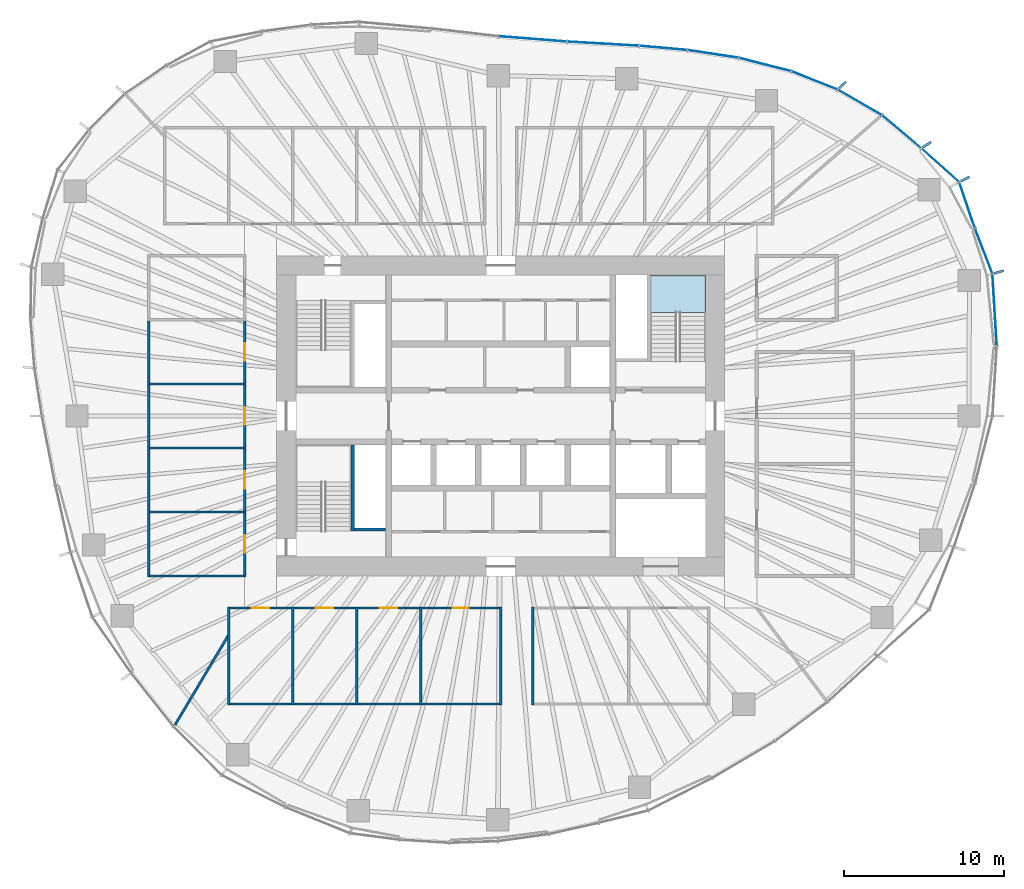
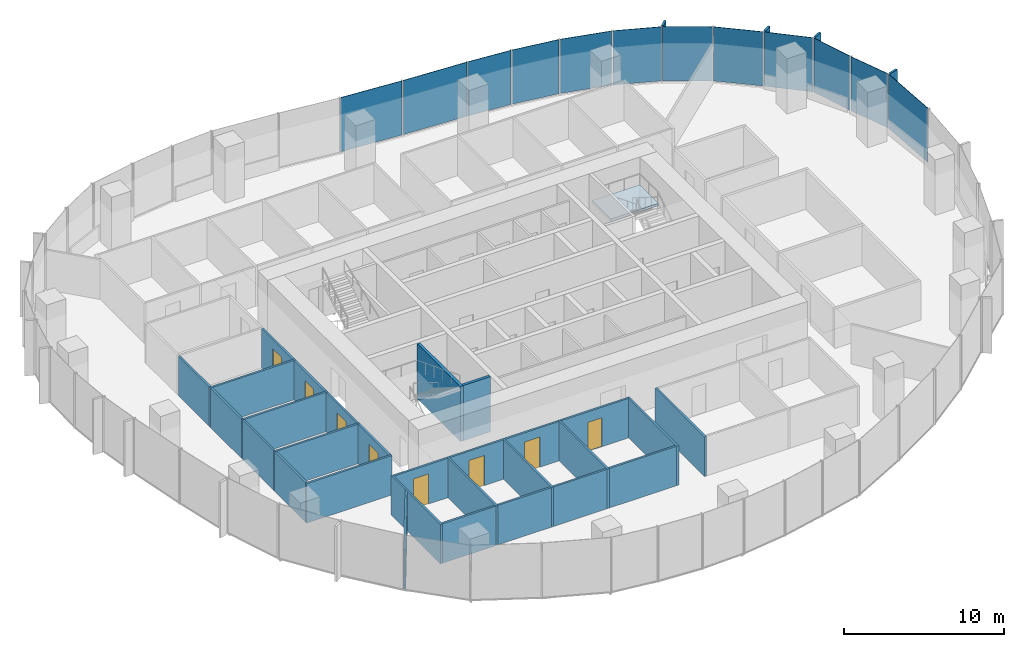
# One storey, part 8 of 18: 29 walls, 16 plates, 8 doors, 1 slab, 8 openings, 6 elements without a shape of their own.
"""IFC4 building model written with IfcOpenShell, lengths in metres."""

from ifc_helpers import new_model, si_unit, direction, frame, frame_2d, origin, origin_2d, place, context, subcontext, project, spatial, polyline, rectangle, outline, extrude, material, layer, layer_set, type_object, element, fill, aggregate, save


model = new_model("IFC4")

# Units and contexts
model_context = context("Model", 3, precision=1e-05, world=origin(), true_north=direction((0.0, 1.0)))
body_context = subcontext(model_context, "Body", "Model", "MODEL_VIEW")
ifc_project = project(units=[si_unit("LENGTHUNIT", "METRE"), si_unit("AREAUNIT", "SQUARE_METRE"), si_unit("VOLUMEUNIT", "CUBIC_METRE"), si_unit("PLANEANGLEUNIT", "RADIAN"), si_unit("MASSUNIT", "GRAM", prefix="KILO")], contexts=[model_context])

# Site, building, storey
site_placement = place(None, origin())
site = spatial("IfcSite", under=ifc_project, at=site_placement, CompositionType="ELEMENT")
building_placement = place(site_placement, origin())
building = spatial("IfcBuilding", under=site, at=building_placement, Name="Ghaith Harvest Tower", CompositionType="ELEMENT")
storey_placement = place(building_placement, frame((0.0, 0.0, 172.199951171875)))
storey = spatial("IfcBuildingStorey", under=building, at=storey_placement, Name="L37", CompositionType="ELEMENT", Elevation=172.199951171875)

# Curtain wall, plate
ifc_material_1 = material(Name="Black anodised aluminium and fritted glass", Category="aluminium")
curtain_wall_type = type_object("IfcCurtainWallType", Name="CW-L CURTAIN WALL", PredefinedType="NOTDEFINED", material=ifc_material_1)
curtain_wall_1_placement = place(storey_placement, origin())
curtain_wall_1 = element("IfcCurtainWall", 1, at=curtain_wall_1_placement, inside=storey, type_object=curtain_wall_type, Name="Curtain wall CW-L bay 01 L37", PredefinedType="NOTDEFINED")
ifc_material_2 = material(Name="Glass, dark solar-control fritted double glazed unit", Category="glass")
ifc_layer_1 = layer(ifc_material_2, 0.031982421875)
ifc_layer_set_1 = layer_set([ifc_layer_1], Name="CW-L VISION PANEL")
plate_type_1 = type_object("IfcPlateType", Name="CW-L VISION PANEL", PredefinedType="CURTAIN_PANEL", material=ifc_layer_set_1)
plate_1_placement = place(storey_placement, frame((30.863037109375, 6.63525390625, 0.080078125), z_axis=(0.0, 0.0, 1.0), x_axis=(-0.060320650032, 0.998179051663, 0.0)))
plate_1 = element("IfcPlate", 2, at=plate_1_placement, type_object=plate_type_1, Name="CW-L glass unit 2 bay 01 L37", PredefinedType="CURTAIN_PANEL", context=body_context, shape_type="SweptSolid", body=[
    extrude(rectangle(XDim=4.419189453125, YDim=0.031982421875, at=origin_2d()), origin(), (0.0, 0.0, 1.0), 4.1201171875),
])
aggregate(curtain_wall_1, [plate_1])

# Curtain wall, plates
curtain_wall_2_placement = place(storey_placement, origin())
curtain_wall_2 = element("IfcCurtainWall", 3, at=curtain_wall_2_placement, inside=storey, type_object=curtain_wall_type, Name="Curtain wall CW-L bay 02 L37", PredefinedType="NOTDEFINED")
plate_2_placement = place(storey_placement, frame((30.180908203125, 10.29833984375, 0.080078125), z_axis=(0.0, 0.0, 1.0), x_axis=(-0.359676824997, 0.933076943001, 0.0)))
plate_2 = element("IfcPlate", 4, at=plate_2_placement, type_object=plate_type_1, Name="CW-L glass unit 1 bay 02 L37", PredefinedType="CURTAIN_PANEL", context=body_context, shape_type="SweptSolid", body=[
    extrude(rectangle(XDim=2.95849609375, YDim=0.031982421875, at=origin_2d()), origin(), (0.0, 0.0, 1.0), 4.1201171875),
])
plate_3_placement = place(storey_placement, frame((29.142333984375, 13.163818359375, 0.080078125), z_axis=(0.0, 0.0, 1.0), x_axis=(-0.321853304376, 0.946789549194, 0.0)))
plate_3 = element("IfcPlate", 5, at=plate_3_placement, type_object=plate_type_1, Name="CW-L glass unit 2 bay 02 L37", PredefinedType="CURTAIN_PANEL", context=body_context, shape_type="SweptSolid", body=[
    extrude(rectangle(XDim=2.978759765625, YDim=0.031982421875, at=origin_2d()), origin(), (0.0, 0.0, 1.0), 4.1201171875),
])
plate_4_placement = place(storey_placement, frame((27.46533203125, 15.668701171875, 0.080078125), z_axis=(0.0, 0.0, 1.0), x_axis=(-0.746250544556, 0.665665174656, 0.0)))
plate_4 = element("IfcPlate", 6, at=plate_4_placement, type_object=plate_type_1, Name="CW-L glass unit 3 bay 02 L37", PredefinedType="CURTAIN_PANEL", context=body_context, shape_type="SweptSolid", body=[
    extrude(rectangle(XDim=3.094970703125, YDim=0.031982421875, at=origin_2d()), origin(), (0.0, 0.0, 1.0), 4.1201171875),
])
aggregate(curtain_wall_2, [plate_2, plate_3, plate_4])

curtain_wall_3_placement = place(storey_placement, origin())
curtain_wall_3 = element("IfcCurtainWall", 7, at=curtain_wall_3_placement, inside=storey, type_object=curtain_wall_type, Name="Curtain wall CW-L bay 03 L37", PredefinedType="NOTDEFINED")
plate_5_placement = place(storey_placement, frame((25.05126953125, 17.7587890625, 0.080078125), z_axis=(0.0, 0.0, 1.0), x_axis=(-0.765473064857, 0.643467937801, 0.0)))
plate_5 = element("IfcPlate", 8, at=plate_5_placement, type_object=plate_type_1, Name="CW-L glass unit 1 bay 03 L37", PredefinedType="CURTAIN_PANEL", context=body_context, shape_type="SweptSolid", body=[
    extrude(rectangle(XDim=3.13232421875, YDim=0.031982421875, at=origin_2d()), origin(), (0.0, 0.0, 1.0), 4.1201171875),
])
plate_6_placement = place(storey_placement, frame((22.444091796875, 19.590576171875, 0.080078125), z_axis=(0.0, 0.0, 1.0), x_axis=(-0.865232087993, 0.501371552751, 0.0)))
plate_6 = element("IfcPlate", 9, at=plate_6_placement, type_object=plate_type_1, Name="CW-L glass unit 2 bay 03 L37", PredefinedType="CURTAIN_PANEL", context=body_context, shape_type="SweptSolid", body=[
    extrude(rectangle(XDim=3.10498046875, YDim=0.031982421875, at=origin_2d()), origin(), (0.0, 0.0, 1.0), 4.1201171875),
])
plate_7_placement = place(storey_placement, frame((19.6142578125, 20.963623046875, 0.080078125), z_axis=(0.0, 0.0, 1.0), x_axis=(-0.929876534019, 0.367871759558, 0.0)))
plate_7 = element("IfcPlate", 10, at=plate_7_placement, type_object=plate_type_1, Name="CW-L glass unit 3 bay 03 L37", PredefinedType="CURTAIN_PANEL", context=body_context, shape_type="SweptSolid", body=[
    extrude(rectangle(XDim=3.042724609375, YDim=0.031982421875, at=origin_2d()), origin(), (0.0, 0.0, 1.0), 4.1201171875),
])
aggregate(curtain_wall_3, [plate_5, plate_6, plate_7])

curtain_wall_4_placement = place(storey_placement, origin())
curtain_wall_4 = element("IfcCurtainWall", 11, at=curtain_wall_4_placement, inside=storey, type_object=curtain_wall_type, Name="Curtain wall CW-L bay 04 L37", PredefinedType="NOTDEFINED")
plate_8_placement = place(storey_placement, frame((16.513427734375, 21.958740234375, 0.080078125), z_axis=(0.0, 0.0, 1.0), x_axis=(-0.96893110987, 0.247330758955, 0.0)))
plate_8 = element("IfcPlate", 12, at=plate_8_placement, type_object=plate_type_1, Name="CW-L glass unit 1 bay 04 L37", PredefinedType="CURTAIN_PANEL", context=body_context, shape_type="SweptSolid", body=[
    extrude(rectangle(XDim=3.3232421875, YDim=0.031982421875, at=origin_2d()), origin(), (0.0, 0.0, 1.0), 4.1201171875),
])
plate_9_placement = place(storey_placement, frame((13.2685546875, 22.621826171875, 0.080078125), z_axis=(0.0, 0.0, 1.0), x_axis=(-0.988678736369, 0.150047846542, 0.0)))
plate_9 = element("IfcPlate", 13, at=plate_9_placement, type_object=plate_type_1, Name="CW-L glass unit 2 bay 04 L37", PredefinedType="CURTAIN_PANEL", context=body_context, shape_type="SweptSolid", body=[
    extrude(rectangle(XDim=3.14892578125, YDim=0.031982421875, at=origin_2d()), origin(), (0.0, 0.0, 1.0), 4.1201171875),
])
plate_10_placement = place(storey_placement, frame((10.15966796875, 22.9970703125, 0.080078125), z_axis=(0.0, 0.0, 1.0), x_axis=(-0.996166190972, 0.087480969151, 0.0)))
plate_10 = element("IfcPlate", 14, at=plate_10_placement, type_object=plate_type_1, Name="CW-L glass unit 3 bay 04 L37", PredefinedType="CURTAIN_PANEL", context=body_context, shape_type="SweptSolid", body=[
    extrude(rectangle(XDim=2.957275390625, YDim=0.031982421875, at=origin_2d()), origin(), (0.0, 0.0, 1.0), 4.1201171875),
])
aggregate(curtain_wall_4, [plate_8, plate_9, plate_10])

curtain_wall_5_placement = place(storey_placement, origin())
curtain_wall_5 = element("IfcCurtainWall", 15, at=curtain_wall_5_placement, inside=storey, type_object=curtain_wall_type, Name="Curtain wall CW-L bay 05 L37", PredefinedType="NOTDEFINED")
plate_11_placement = place(storey_placement, frame((6.396728515625, 23.260498046875, 0.080078125), z_axis=(0.0, 0.0, 1.0), x_axis=(-0.998320798751, 0.05792739233, 0.0)))
plate_11 = element("IfcPlate", 16, at=plate_11_placement, type_object=plate_type_1, Name="CW-L glass unit 1 bay 05 L37", PredefinedType="CURTAIN_PANEL", context=body_context, shape_type="SweptSolid", body=[
    extrude(rectangle(XDim=4.427734375, YDim=0.031982421875, at=origin_2d()), origin(), (0.0, 0.0, 1.0), 4.1201171875),
])
plate_12_placement = place(storey_placement, frame((1.9921875, 23.560302734375, 0.080078125), z_axis=(0.0, 0.0, 1.0), x_axis=(-0.996925121312, 0.078360082291, 0.0)))
plate_12 = element("IfcPlate", 17, at=plate_12_placement, type_object=plate_type_1, Name="CW-L glass unit 2 bay 05 L37", PredefinedType="CURTAIN_PANEL", context=body_context, shape_type="SweptSolid", body=[
    extrude(rectangle(XDim=4.242431640625, YDim=0.031982421875, at=origin_2d()), origin(), (0.0, 0.0, 1.0), 4.1201171875),
])
aggregate(curtain_wall_5, [plate_11, plate_12])

# Stair, slab
ifc_material_3 = material(Name="Concrete C40/50, precast", Category="concrete")
stair_type = type_object("IfcStairType", Name="CORE STAIR 24R", PredefinedType="HALF_TURN_STAIR", material=ifc_material_3)
stair_placement = place(storey_placement, origin())
stair = element("IfcStair", 18, at=stair_placement, inside=storey, type_object=stair_type, Name="Stair ST2 L37", PredefinedType="HALF_TURN_STAIR")
ifc_material_4 = material(Name="Concrete C40/50, precast", Category="concrete")
ifc_layer_2 = layer(ifc_material_4, 0.179931640625)
ifc_layer_set_2 = layer_set([ifc_layer_2], Name="STAIR LANDING 180")
slab_type = type_object("IfcSlabType", Name="STAIR LANDING 180", PredefinedType="LANDING", material=ifc_layer_set_2)
slab_placement = place(storey_placement, frame((0.0, 0.0, 1.920166015625)))
slab = element("IfcSlab", 19, at=slab_placement, type_object=slab_type, Name="ST2 landing 1", PredefinedType="LANDING", context=body_context, shape_type="SweptSolid", body=[
    extrude(outline(polyline([(12.800048828125, 6.4599609375), (12.800048828125, 8.800048828125), (9.35009765625, 8.800048828125), (9.35009765625, 6.4599609375), (12.800048828125, 6.4599609375)])), origin(), (0.0, 0.0, 1.0), 0.179931640625),
])
aggregate(stair, [slab])

# Plates
ifc_material_5 = material(Name="Glassfibre-reinforced concrete", Category="concrete")
ifc_layer_3 = layer(ifc_material_5, 0.14990234375)
ifc_layer_set_3 = layer_set([ifc_layer_3], Name="SUN-BREAKER FIN 600x150")
plate_type_2 = type_object("IfcPlateType", Name="SUN-BREAKER FIN 600x150", PredefinedType="USERDEFINED", material=ifc_layer_set_3)
for number, where, z_axis, x_axis, name in (
    (20, (31.130859375, 8.99755859375, 0.0), (0.0, 0.0, 1.0), (0.960680349985, 0.277656739792, 0.0), "Sun-breaker fin CW-L 1 bay 02 L37"),
    (21, (29.024169921875, 14.802734375, 0.0), (0.0, 0.0, 1.0), (0.890830752257, 0.454335306611, 0.0), "Sun-breaker fin CW-L 3 bay 02 L37"),
    (22, (26.635009765625, 16.95068359375, 0.0), (0.0, 0.0, 1.0), (0.843643971464, 0.536903016766, 0.0), "Sun-breaker fin CW-L 1 bay 03 L37"),
    (23, (21.367919921875, 20.68115234375, 0.0), (0.0, 0.0, 1.0), (0.7185589652, 0.69546604053, 0.0), "Sun-breaker fin CW-L 3 bay 03 L37"),
):
    element("IfcPlate", number, at=place(storey_placement, frame(where, z_axis=z_axis, x_axis=x_axis)), inside=storey, type_object=plate_type_2, Name=name, ObjectType="SUN-BREAKER FIN", PredefinedType="USERDEFINED", context=body_context, shape_type="SweptSolid", body=[
        extrude(rectangle(XDim=0.60009765625, YDim=0.14990234375, at=origin_2d()), origin(), (0.0, 0.0, 1.0), 4.199951171875),
    ])

# Walls
ifc_material_6 = material(Name="Gypsum board on steel studs", Category="steel")
ifc_layer_4 = layer(ifc_material_6, 0.14990234375)
ifc_layer_set_4 = layer_set([ifc_layer_4], Name="PARTITION 150")
wall_type_1 = type_object("IfcWallType", Name="PARTITION 150", PredefinedType="PARTITIONING", material=ifc_layer_set_4)
for number, where, z_axis, x_axis, name in (
    (24, (-17.0, -11.925048828125, 0.0), (0.0, 0.0, 1.0), (0.0, -1.0, 0.0), "Partition L37 row S4 cross wall 1"),
    (25, (-13.0, -11.925048828125, 0.0), (0.0, 0.0, 1.0), (0.0, -1.0, 0.0), "Partition L37 row S4 cross wall 2"),
    (26, (-9.0, -11.925048828125, 0.0), (0.0, 0.0, 1.0), (0.0, -1.0, 0.0), "Partition L37 row S4 cross wall 3"),
    (27, (-5.0, -11.925048828125, 0.0), (0.0, 0.0, 1.0), (0.0, -1.0, 0.0), "Partition L37 row S4 cross wall 4"),
    (28, (0.0, -11.925048828125, 0.0), (0.0, 0.0, 1.0), (0.0, -1.0, 0.0), "Partition L37 row S4 cross wall 5"),
):
    element("IfcWall", number, at=place(storey_placement, frame(where, z_axis=z_axis, x_axis=x_axis)), inside=storey, type_object=wall_type_1, Name=name, PredefinedType="PARTITIONING", context=body_context, shape_type="SweptSolid", body=[
        extrude(rectangle(XDim=6.14990234375, YDim=0.14990234375, at=frame_2d((3.074951171875, 0.0))), origin(), (0.0, 0.0, 1.0), 3.0),
    ])

# Wall, opening, door
wall_1_placement = place(storey_placement, frame((-16.925048828125, -12.0, 0.0), z_axis=(0.0, 0.0, 1.0), x_axis=(1.0, 0.0, 0.0)))
wall_1 = element("IfcWall", 29, at=wall_1_placement, inside=storey, type_object=wall_type_1, Name="Partition L37-12", PredefinedType="PARTITIONING", context=body_context, shape_type="SweptSolid", body=[
    extrude(rectangle(XDim=3.85009765625, YDim=0.14990234375, at=frame_2d((1.925048828125, 0.0))), origin(), (0.0, 0.0, 1.0), 3.0),
])
opening_1_placement = place(wall_1_placement, frame((1.375, 0.0, 0.0)))
opening_1 = element("IfcOpeningElement", 30, at=opening_1_placement, cuts=wall_1, Name="Opening 37-039", PredefinedType="OPENING", context=body_context, shape_type="SweptSolid", body=[
    extrude(rectangle(XDim=1.10009765625, YDim=2.300048828125, at=frame_2d((0.550048828125, 1.14990234375))), frame((0.0, 0.0849609375, 0.0), z_axis=(0.0, -1.0, 0.0), x_axis=(1.0, 0.0, 0.0)), (0.0, 0.0, 1.0), 0.169921875),
])
ifc_material_7 = material(Name="Timber-framed glazed door", Category="wood")
door_type_1 = type_object("IfcDoorType", Name="D12 GLAZED OFFICE 1100x2300", OperationType="SINGLE_SWING_LEFT", PredefinedType="DOOR", material=ifc_material_7)
door_1_placement = place(opening_1_placement, origin())
door_1 = element("IfcDoor", 31, at=door_1_placement, inside=storey, type_object=door_type_1, Name="Office door", OperationType="SINGLE_SWING_LEFT", OverallHeight=2.300048828125, OverallWidth=1.10009765625, PredefinedType="DOOR", context=body_context, shape_type="SweptSolid", body=[
    extrude(rectangle(XDim=1.10009765625, YDim=2.300048828125, at=frame_2d((0.550048828125, 1.14990234375))), frame((0.0, 0.02490234375, 0.0), z_axis=(0.0, -1.0, 0.0), x_axis=(1.0, 0.0, 0.0)), (0.0, 0.0, 1.0), 0.050048828125),
])
fill(opening_1, door_1)

# Wall
wall_2_placement = place(storey_placement, frame((-16.925048828125, -18.0, 0.0), z_axis=(0.0, 0.0, 1.0), x_axis=(1.0, 0.0, 0.0)))
element("IfcWall", 32, at=wall_2_placement, inside=storey, type_object=wall_type_1, Name="Partition L37-12", PredefinedType="PARTITIONING", context=body_context, shape_type="SweptSolid", body=[
    extrude(rectangle(XDim=3.85009765625, YDim=0.14990234375, at=frame_2d((1.925048828125, 0.0))), origin(), (0.0, 0.0, 1.0), 3.0),
])

# Wall, opening, door
wall_3_placement = place(storey_placement, frame((-12.925048828125, -12.0, 0.0), z_axis=(0.0, 0.0, 1.0), x_axis=(1.0, 0.0, 0.0)))
wall_3 = element("IfcWall", 33, at=wall_3_placement, inside=storey, type_object=wall_type_1, Name="Partition L37-13", PredefinedType="PARTITIONING", context=body_context, shape_type="SweptSolid", body=[
    extrude(rectangle(XDim=3.85009765625, YDim=0.14990234375, at=frame_2d((1.925048828125, 0.0))), origin(), (0.0, 0.0, 1.0), 3.0),
])
opening_2_placement = place(wall_3_placement, frame((1.375, 0.0, 0.0)))
opening_2 = element("IfcOpeningElement", 34, at=opening_2_placement, cuts=wall_3, Name="Opening 37-040", PredefinedType="OPENING", context=body_context, shape_type="SweptSolid", body=[
    extrude(rectangle(XDim=1.10009765625, YDim=2.300048828125, at=frame_2d((0.550048828125, 1.14990234375))), frame((0.0, 0.0849609375, 0.0), z_axis=(0.0, -1.0, 0.0), x_axis=(1.0, 0.0, 0.0)), (0.0, 0.0, 1.0), 0.169921875),
])
door_2_placement = place(opening_2_placement, origin())
door_2 = element("IfcDoor", 35, at=door_2_placement, inside=storey, type_object=door_type_1, Name="Office door", OperationType="SINGLE_SWING_LEFT", OverallHeight=2.300048828125, OverallWidth=1.10009765625, PredefinedType="DOOR", context=body_context, shape_type="SweptSolid", body=[
    extrude(rectangle(XDim=1.10009765625, YDim=2.300048828125, at=frame_2d((0.550048828125, 1.14990234375))), frame((0.0, 0.02490234375, 0.0), z_axis=(0.0, -1.0, 0.0), x_axis=(1.0, 0.0, 0.0)), (0.0, 0.0, 1.0), 0.050048828125),
])
fill(opening_2, door_2)

# Wall
wall_4_placement = place(storey_placement, frame((-12.925048828125, -18.0, 0.0), z_axis=(0.0, 0.0, 1.0), x_axis=(1.0, 0.0, 0.0)))
element("IfcWall", 36, at=wall_4_placement, inside=storey, type_object=wall_type_1, Name="Partition L37-13", PredefinedType="PARTITIONING", context=body_context, shape_type="SweptSolid", body=[
    extrude(rectangle(XDim=3.85009765625, YDim=0.14990234375, at=frame_2d((1.925048828125, 0.0))), origin(), (0.0, 0.0, 1.0), 3.0),
])

# Wall, opening, door
wall_5_placement = place(storey_placement, frame((-8.925048828125, -12.0, 0.0), z_axis=(0.0, 0.0, 1.0), x_axis=(1.0, 0.0, 0.0)))
wall_5 = element("IfcWall", 37, at=wall_5_placement, inside=storey, type_object=wall_type_1, Name="Partition L37-14", PredefinedType="PARTITIONING", context=body_context, shape_type="SweptSolid", body=[
    extrude(rectangle(XDim=3.85009765625, YDim=0.14990234375, at=frame_2d((1.925048828125, 0.0))), origin(), (0.0, 0.0, 1.0), 3.0),
])
opening_3_placement = place(wall_5_placement, frame((1.375, 0.0, 0.0)))
opening_3 = element("IfcOpeningElement", 38, at=opening_3_placement, cuts=wall_5, Name="Opening 37-041", PredefinedType="OPENING", context=body_context, shape_type="SweptSolid", body=[
    extrude(rectangle(XDim=1.10009765625, YDim=2.300048828125, at=frame_2d((0.550048828125, 1.14990234375))), frame((0.0, 0.0849609375, 0.0), z_axis=(0.0, -1.0, 0.0), x_axis=(1.0, 0.0, 0.0)), (0.0, 0.0, 1.0), 0.169921875),
])
door_3_placement = place(opening_3_placement, origin())
door_3 = element("IfcDoor", 39, at=door_3_placement, inside=storey, type_object=door_type_1, Name="Office door", OperationType="SINGLE_SWING_LEFT", OverallHeight=2.300048828125, OverallWidth=1.10009765625, PredefinedType="DOOR", context=body_context, shape_type="SweptSolid", body=[
    extrude(rectangle(XDim=1.10009765625, YDim=2.300048828125, at=frame_2d((0.550048828125, 1.14990234375))), frame((0.0, 0.02490234375, 0.0), z_axis=(0.0, -1.0, 0.0), x_axis=(1.0, 0.0, 0.0)), (0.0, 0.0, 1.0), 0.050048828125),
])
fill(opening_3, door_3)

# Wall
wall_6_placement = place(storey_placement, frame((-8.925048828125, -18.0, 0.0), z_axis=(0.0, 0.0, 1.0), x_axis=(1.0, 0.0, 0.0)))
element("IfcWall", 40, at=wall_6_placement, inside=storey, type_object=wall_type_1, Name="Partition L37-14", PredefinedType="PARTITIONING", context=body_context, shape_type="SweptSolid", body=[
    extrude(rectangle(XDim=3.85009765625, YDim=0.14990234375, at=frame_2d((1.925048828125, 0.0))), origin(), (0.0, 0.0, 1.0), 3.0),
])

# Wall, opening, door
wall_7_placement = place(storey_placement, frame((-4.925048828125, -12.0, 0.0), z_axis=(0.0, 0.0, 1.0), x_axis=(1.0, 0.0, 0.0)))
wall_7 = element("IfcWall", 41, at=wall_7_placement, inside=storey, type_object=wall_type_1, Name="Partition L37-15", PredefinedType="PARTITIONING", context=body_context, shape_type="SweptSolid", body=[
    extrude(rectangle(XDim=4.85009765625, YDim=0.14990234375, at=frame_2d((2.425048828125, 0.0))), origin(), (0.0, 0.0, 1.0), 3.0),
])
opening_4_placement = place(wall_7_placement, frame((1.925048828125, 0.0, 0.0)))
opening_4 = element("IfcOpeningElement", 42, at=opening_4_placement, cuts=wall_7, Name="Opening 37-042", PredefinedType="OPENING", context=body_context, shape_type="SweptSolid", body=[
    extrude(rectangle(XDim=1.0, YDim=2.199951171875, at=frame_2d((0.5, 1.10009765625))), frame((0.0, 0.0849609375, 0.0), z_axis=(0.0, -1.0, 0.0), x_axis=(1.0, 0.0, 0.0)), (0.0, 0.0, 1.0), 0.169921875),
])
ifc_material_8 = material(Name="Timber door", Category="wood")
door_type_2 = type_object("IfcDoorType", Name="D1 SINGLE 1000x2200", OperationType="SINGLE_SWING_LEFT", PredefinedType="DOOR", material=ifc_material_8)
door_4_placement = place(opening_4_placement, origin())
door_4 = element("IfcDoor", 43, at=door_4_placement, inside=storey, type_object=door_type_2, Name="Print room door", OperationType="SINGLE_SWING_LEFT", OverallHeight=2.199951171875, OverallWidth=1.0, PredefinedType="DOOR", context=body_context, shape_type="SweptSolid", body=[
    extrude(rectangle(XDim=1.0, YDim=2.199951171875, at=frame_2d((0.5, 1.10009765625))), frame((0.0, 0.02490234375, 0.0), z_axis=(0.0, -1.0, 0.0), x_axis=(1.0, 0.0, 0.0)), (0.0, 0.0, 1.0), 0.050048828125),
])
fill(opening_4, door_4)

# Walls
wall_8_placement = place(storey_placement, frame((-4.925048828125, -18.0, 0.0), z_axis=(0.0, 0.0, 1.0), x_axis=(1.0, 0.0, 0.0)))
element("IfcWall", 44, at=wall_8_placement, inside=storey, type_object=wall_type_1, Name="Partition L37-15", PredefinedType="PARTITIONING", context=body_context, shape_type="SweptSolid", body=[
    extrude(rectangle(XDim=4.85009765625, YDim=0.14990234375, at=frame_2d((2.425048828125, 0.0))), origin(), (0.0, 0.0, 1.0), 3.0),
])
for number, where, z_axis, x_axis, name in (
    (45, (2.0, -11.925048828125, 0.0), (0.0, 0.0, 1.0), (0.0, -1.0, 0.0), "Partition L37 row S5 cross wall 1"),
    (46, (-15.925048828125, -10.0, 0.0), (0.0, 0.0, 1.0), (-1.0, 0.0, 0.0), "Partition L37 row W6 cross wall 1"),
    (47, (-15.925048828125, -6.0, 0.0), (0.0, 0.0, 1.0), (-1.0, 0.0, 0.0), "Partition L37 row W6 cross wall 2"),
    (48, (-15.925048828125, -2.0, 0.0), (0.0, 0.0, 1.0), (-1.0, 0.0, 0.0), "Partition L37 row W6 cross wall 3"),
    (49, (-15.925048828125, 2.0, 0.0), (0.0, 0.0, 1.0), (-1.0, 0.0, 0.0), "Partition L37 row W6 cross wall 4"),
):
    element("IfcWall", number, at=place(storey_placement, frame(where, z_axis=z_axis, x_axis=x_axis)), inside=storey, type_object=wall_type_1, Name=name, PredefinedType="PARTITIONING", context=body_context, shape_type="SweptSolid", body=[
        extrude(rectangle(XDim=6.14990234375, YDim=0.14990234375, at=frame_2d((3.074951171875, 0.0))), origin(), (0.0, 0.0, 1.0), 3.0),
    ])

# Wall, opening, door
wall_9_placement = place(storey_placement, frame((-16.0, -9.925048828125, 0.0), z_axis=(0.0, 0.0, 1.0), x_axis=(0.0, 1.0, 0.0)))
wall_9 = element("IfcWall", 50, at=wall_9_placement, inside=storey, type_object=wall_type_1, Name="Partition L37-18", PredefinedType="PARTITIONING", context=body_context, shape_type="SweptSolid", body=[
    extrude(rectangle(XDim=3.85009765625, YDim=0.14990234375, at=frame_2d((1.925048828125, 0.0))), origin(), (0.0, 0.0, 1.0), 3.0),
])
opening_5_placement = place(wall_9_placement, frame((1.375, 0.0, 0.0)))
opening_5 = element("IfcOpeningElement", 51, at=opening_5_placement, cuts=wall_9, Name="Opening 37-045", PredefinedType="OPENING", context=body_context, shape_type="SweptSolid", body=[
    extrude(rectangle(XDim=1.10009765625, YDim=2.300048828125, at=frame_2d((0.550048828125, 1.14990234375))), frame((0.0, 0.0849609375, 0.0), z_axis=(0.0, -1.0, 0.0), x_axis=(1.0, 0.0, 0.0)), (0.0, 0.0, 1.0), 0.169921875),
])
door_5_placement = place(opening_5_placement, origin())
door_5 = element("IfcDoor", 52, at=door_5_placement, inside=storey, type_object=door_type_1, Name="Office door", OperationType="SINGLE_SWING_LEFT", OverallHeight=2.300048828125, OverallWidth=1.10009765625, PredefinedType="DOOR", context=body_context, shape_type="SweptSolid", body=[
    extrude(rectangle(XDim=1.10009765625, YDim=2.300048828125, at=frame_2d((0.550048828125, 1.14990234375))), frame((0.0, 0.02490234375, 0.0), z_axis=(0.0, -1.0, 0.0), x_axis=(1.0, 0.0, 0.0)), (0.0, 0.0, 1.0), 0.050048828125),
])
fill(opening_5, door_5)

# Wall
wall_10_placement = place(storey_placement, frame((-22.0, -9.925048828125, 0.0), z_axis=(0.0, 0.0, 1.0), x_axis=(0.0, 1.0, 0.0)))
element("IfcWall", 53, at=wall_10_placement, inside=storey, type_object=wall_type_1, Name="Partition L37-18", PredefinedType="PARTITIONING", context=body_context, shape_type="SweptSolid", body=[
    extrude(rectangle(XDim=3.85009765625, YDim=0.14990234375, at=frame_2d((1.925048828125, 0.0))), origin(), (0.0, 0.0, 1.0), 3.0),
])

# Wall, opening, door
wall_11_placement = place(storey_placement, frame((-16.0, -5.925048828125, 0.0), z_axis=(0.0, 0.0, 1.0), x_axis=(0.0, 1.0, 0.0)))
wall_11 = element("IfcWall", 54, at=wall_11_placement, inside=storey, type_object=wall_type_1, Name="Partition L37-19", PredefinedType="PARTITIONING", context=body_context, shape_type="SweptSolid", body=[
    extrude(rectangle(XDim=3.85009765625, YDim=0.14990234375, at=frame_2d((1.925048828125, 0.0))), origin(), (0.0, 0.0, 1.0), 3.0),
])
opening_6_placement = place(wall_11_placement, frame((1.375, 0.0, 0.0)))
opening_6 = element("IfcOpeningElement", 55, at=opening_6_placement, cuts=wall_11, Name="Opening 37-046", PredefinedType="OPENING", context=body_context, shape_type="SweptSolid", body=[
    extrude(rectangle(XDim=1.10009765625, YDim=2.300048828125, at=frame_2d((0.550048828125, 1.14990234375))), frame((0.0, 0.0849609375, 0.0), z_axis=(0.0, -1.0, 0.0), x_axis=(1.0, 0.0, 0.0)), (0.0, 0.0, 1.0), 0.169921875),
])
door_6_placement = place(opening_6_placement, origin())
door_6 = element("IfcDoor", 56, at=door_6_placement, inside=storey, type_object=door_type_1, Name="Office door", OperationType="SINGLE_SWING_LEFT", OverallHeight=2.300048828125, OverallWidth=1.10009765625, PredefinedType="DOOR", context=body_context, shape_type="SweptSolid", body=[
    extrude(rectangle(XDim=1.10009765625, YDim=2.300048828125, at=frame_2d((0.550048828125, 1.14990234375))), frame((0.0, 0.02490234375, 0.0), z_axis=(0.0, -1.0, 0.0), x_axis=(1.0, 0.0, 0.0)), (0.0, 0.0, 1.0), 0.050048828125),
])
fill(opening_6, door_6)

# Wall
wall_12_placement = place(storey_placement, frame((-22.0, -5.925048828125, 0.0), z_axis=(0.0, 0.0, 1.0), x_axis=(0.0, 1.0, 0.0)))
element("IfcWall", 57, at=wall_12_placement, inside=storey, type_object=wall_type_1, Name="Partition L37-19", PredefinedType="PARTITIONING", context=body_context, shape_type="SweptSolid", body=[
    extrude(rectangle(XDim=3.85009765625, YDim=0.14990234375, at=frame_2d((1.925048828125, 0.0))), origin(), (0.0, 0.0, 1.0), 3.0),
])

# Wall, opening, door
wall_13_placement = place(storey_placement, frame((-16.0, -1.925048828125, 0.0), z_axis=(0.0, 0.0, 1.0), x_axis=(0.0, 1.0, 0.0)))
wall_13 = element("IfcWall", 58, at=wall_13_placement, inside=storey, type_object=wall_type_1, Name="Partition L37-20", PredefinedType="PARTITIONING", context=body_context, shape_type="SweptSolid", body=[
    extrude(rectangle(XDim=3.85009765625, YDim=0.14990234375, at=frame_2d((1.925048828125, 0.0))), origin(), (0.0, 0.0, 1.0), 3.0),
])
opening_7_placement = place(wall_13_placement, frame((1.375, 0.0, 0.0)))
opening_7 = element("IfcOpeningElement", 59, at=opening_7_placement, cuts=wall_13, Name="Opening 37-047", PredefinedType="OPENING", context=body_context, shape_type="SweptSolid", body=[
    extrude(rectangle(XDim=1.10009765625, YDim=2.300048828125, at=frame_2d((0.550048828125, 1.14990234375))), frame((0.0, 0.0849609375, 0.0), z_axis=(0.0, -1.0, 0.0), x_axis=(1.0, 0.0, 0.0)), (0.0, 0.0, 1.0), 0.169921875),
])
door_7_placement = place(opening_7_placement, origin())
door_7 = element("IfcDoor", 60, at=door_7_placement, inside=storey, type_object=door_type_1, Name="Office door", OperationType="SINGLE_SWING_LEFT", OverallHeight=2.300048828125, OverallWidth=1.10009765625, PredefinedType="DOOR", context=body_context, shape_type="SweptSolid", body=[
    extrude(rectangle(XDim=1.10009765625, YDim=2.300048828125, at=frame_2d((0.550048828125, 1.14990234375))), frame((0.0, 0.02490234375, 0.0), z_axis=(0.0, -1.0, 0.0), x_axis=(1.0, 0.0, 0.0)), (0.0, 0.0, 1.0), 0.050048828125),
])
fill(opening_7, door_7)

# Wall
wall_14_placement = place(storey_placement, frame((-22.0, -1.925048828125, 0.0), z_axis=(0.0, 0.0, 1.0), x_axis=(0.0, 1.0, 0.0)))
element("IfcWall", 61, at=wall_14_placement, inside=storey, type_object=wall_type_1, Name="Partition L37-20", PredefinedType="PARTITIONING", context=body_context, shape_type="SweptSolid", body=[
    extrude(rectangle(XDim=3.85009765625, YDim=0.14990234375, at=frame_2d((1.925048828125, 0.0))), origin(), (0.0, 0.0, 1.0), 3.0),
])

# Wall, opening, door
wall_15_placement = place(storey_placement, frame((-16.0, 2.074951171875, 0.0), z_axis=(0.0, 0.0, 1.0), x_axis=(0.0, 1.0, 0.0)))
wall_15 = element("IfcWall", 62, at=wall_15_placement, inside=storey, type_object=wall_type_1, Name="Partition L37-21", PredefinedType="PARTITIONING", context=body_context, shape_type="SweptSolid", body=[
    extrude(rectangle(XDim=3.85009765625, YDim=0.14990234375, at=frame_2d((1.925048828125, 0.0))), origin(), (0.0, 0.0, 1.0), 3.0),
])
opening_8_placement = place(wall_15_placement, frame((1.375, 0.0, 0.0)))
opening_8 = element("IfcOpeningElement", 63, at=opening_8_placement, cuts=wall_15, Name="Opening 37-048", PredefinedType="OPENING", context=body_context, shape_type="SweptSolid", body=[
    extrude(rectangle(XDim=1.10009765625, YDim=2.300048828125, at=frame_2d((0.550048828125, 1.14990234375))), frame((0.0, 0.0849609375, 0.0), z_axis=(0.0, -1.0, 0.0), x_axis=(1.0, 0.0, 0.0)), (0.0, 0.0, 1.0), 0.169921875),
])
door_8_placement = place(opening_8_placement, origin())
door_8 = element("IfcDoor", 64, at=door_8_placement, inside=storey, type_object=door_type_1, Name="Office door", OperationType="SINGLE_SWING_LEFT", OverallHeight=2.300048828125, OverallWidth=1.10009765625, PredefinedType="DOOR", context=body_context, shape_type="SweptSolid", body=[
    extrude(rectangle(XDim=1.10009765625, YDim=2.300048828125, at=frame_2d((0.550048828125, 1.14990234375))), frame((0.0, 0.02490234375, 0.0), z_axis=(0.0, -1.0, 0.0), x_axis=(1.0, 0.0, 0.0)), (0.0, 0.0, 1.0), 0.050048828125),
])
fill(opening_8, door_8)

# Walls
wall_16_placement = place(storey_placement, frame((-22.0, 2.074951171875, 0.0), z_axis=(0.0, 0.0, 1.0), x_axis=(0.0, 1.0, 0.0)))
element("IfcWall", 65, at=wall_16_placement, inside=storey, type_object=wall_type_1, Name="Partition L37-21", PredefinedType="PARTITIONING", context=body_context, shape_type="SweptSolid", body=[
    extrude(rectangle(XDim=3.85009765625, YDim=0.14990234375, at=frame_2d((1.925048828125, 0.0))), origin(), (0.0, 0.0, 1.0), 3.0),
])
wall_17_placement = place(storey_placement, frame((-17.02001953125, -13.71337890625, 0.0), z_axis=(0.0, 0.0, 1.0), x_axis=(-0.511508304982, -0.859278333216, 0.0)))
element("IfcWall", 66, at=wall_17_placement, inside=storey, type_object=wall_type_1, Name="Partition L37 zone division", PredefinedType="PARTITIONING", context=body_context, shape_type="SweptSolid", body=[
    extrude(rectangle(XDim=6.49658203125, YDim=0.14990234375, at=frame_2d((3.248291015625, 0.0))), origin(), (0.0, 0.0, 1.0), 3.0),
])
ifc_material_9 = material(Name="Concrete C40/50", Category="concrete")
ifc_layer_5 = layer(ifc_material_9, 0.199951171875)
ifc_layer_set_5 = layer_set([ifc_layer_5], Name="STAIR SPINE WALL RC200")
wall_type_2 = type_object("IfcWallType", Name="STAIR SPINE WALL RC200", PredefinedType="SOLIDWALL", material=ifc_layer_set_5)
wall_18_placement = place(storey_placement, frame((-9.25, -7.199951171875, 0.0), z_axis=(0.0, 0.0, 1.0), x_axis=(0.0, 1.0, 0.0)))
element("IfcWall", 67, at=wall_18_placement, inside=storey, type_object=wall_type_2, Name="Stair ST3 spine wall L37", PredefinedType="SOLIDWALL", context=body_context, shape_type="SweptSolid", body=[
    extrude(rectangle(XDim=5.39990234375, YDim=0.199951171875, at=frame_2d((2.699951171875, 0.0))), origin(), (0.0, 0.0, 1.0), 4.199951171875),
])
wall_19_placement = place(storey_placement, frame((-9.14990234375, -7.10009765625, 0.0), z_axis=(0.0, 0.0, 1.0), x_axis=(1.0, 0.0, 0.0)))
element("IfcWall", 68, at=wall_19_placement, inside=storey, type_object=wall_type_2, Name="Stair ST3 spine wall return L37", PredefinedType="SOLIDWALL", context=body_context, shape_type="SweptSolid", body=[
    extrude(rectangle(XDim=1.949951171875, YDim=0.199951171875, at=frame_2d((0.97509765625, 0.0))), origin(), (0.0, 0.0, 1.0), 4.199951171875),
])

save(model, "model.ifc")
